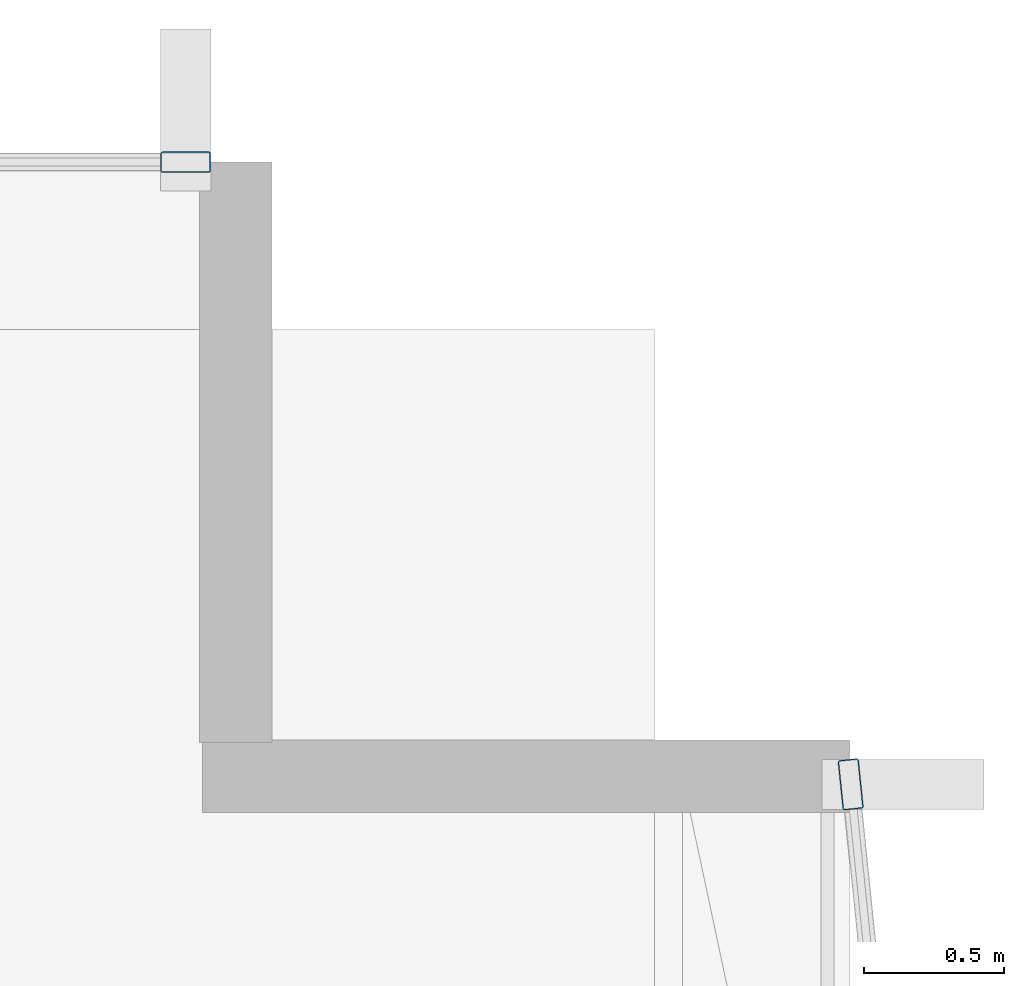
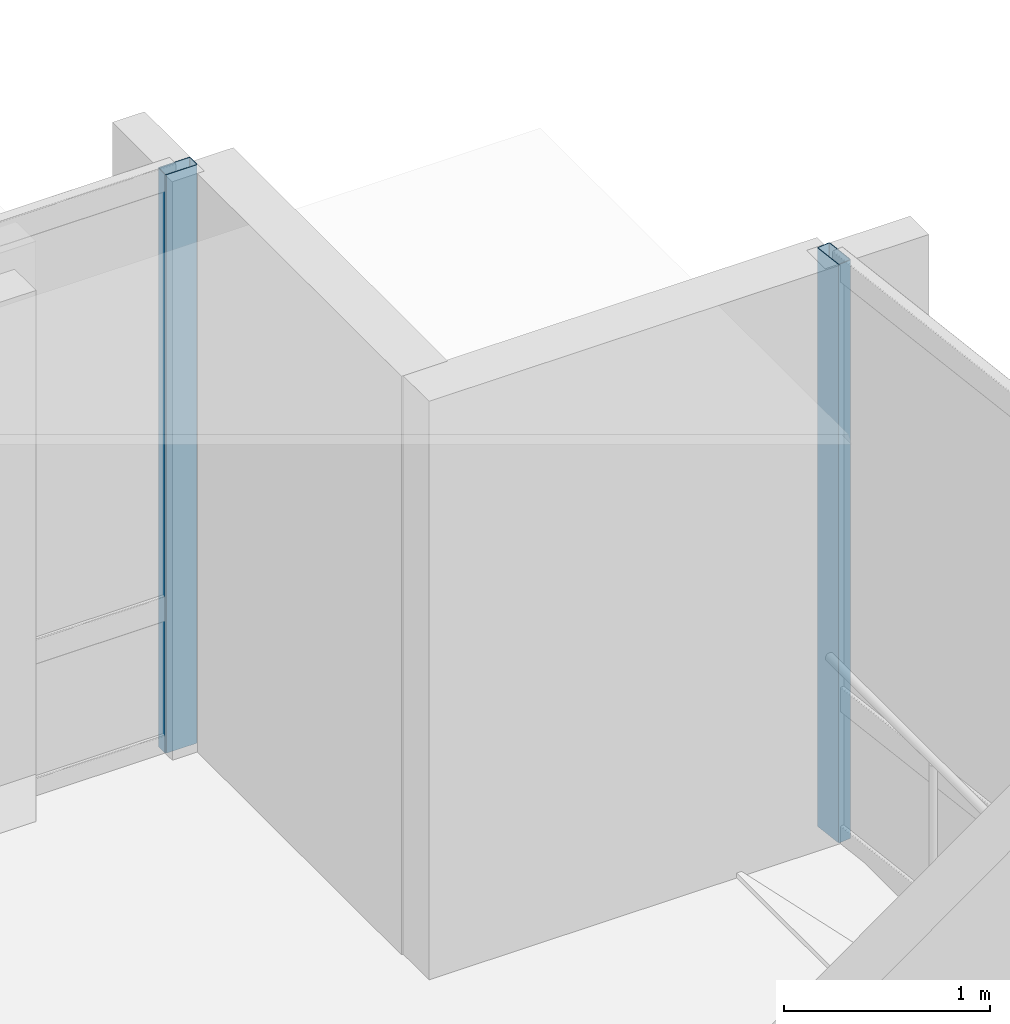
# One storey, part 17 of 34: 2 members, 2 elements without a shape of their own.
"""IFC4 building model written with IfcOpenShell, lengths in metres."""

from ifc_helpers import new_model, si_unit, direction, frame, origin, origin_2d, place, context, subcontext, project, spatial, hollow_rectangle, extrude, material, layer, layer_set, material_profile, profile_set, type_object, element, aggregate, save


model = new_model("IFC4")

# Units and contexts
model_context = context("Model", 3, precision=1e-05, world=origin(), true_north=direction((0.0, 1.0)))
body_context = subcontext(model_context, "Body", "Model", "MODEL_VIEW")
ifc_project = project(units=[si_unit("LENGTHUNIT", "METRE"), si_unit("AREAUNIT", "SQUARE_METRE"), si_unit("VOLUMEUNIT", "CUBIC_METRE"), si_unit("PLANEANGLEUNIT", "RADIAN"), si_unit("MASSUNIT", "GRAM", prefix="KILO")], contexts=[model_context])

# Site, building, storey
site_placement = place(None, origin())
site = spatial("IfcSite", under=ifc_project, at=site_placement, CompositionType="ELEMENT")
building_placement = place(site_placement, origin())
building = spatial("IfcBuilding", under=site, at=building_placement, Name="Solvaryn Broadcast Tower", CompositionType="ELEMENT")
storey_placement = place(building_placement, frame((0.0, 0.0, 47.10009765625)))
storey = spatial("IfcBuildingStorey", under=building, at=storey_placement, Name="L10", CompositionType="ELEMENT", Elevation=47.10009765625)

# Curtain wall, member
ifc_material_1 = material(Name="Aluminium and Terracotta Unitised Curtain Wall", Category="masonry")
ifc_layer = layer(ifc_material_1, 0.199951171875)
ifc_layer_set = layer_set([ifc_layer], Name="CW-SYS2-LOWMID")
curtain_wall_type = type_object("IfcCurtainWallType", Name="CW-SYS2-LOWMID", PredefinedType="NOTDEFINED", material=ifc_layer_set)
curtain_wall_1_placement = place(storey_placement, origin())
curtain_wall_1 = element("IfcCurtainWall", 1, at=curtain_wall_1_placement, inside=storey, type_object=curtain_wall_type, Name="L10 Curtain Wall ET1", PredefinedType="NOTDEFINED")
ifc_material_2 = material(Name="Anodised Aluminium 6063-T6", Category="aluminium")
ifc_material_profile = material_profile(ifc_material_2, hollow_rectangle(XDim=0.074951171875, YDim=0.179931640625, WallThickness=0.00390625, InnerFilletRadius=0.00390625, OuterFilletRadius=0.008056640625, at=origin_2d()))
ifc_profile_set = profile_set([ifc_material_profile], Name="Anodised Aluminium 6063-T6")
member_type = type_object("IfcMemberType", Name="CW-MUL-180", PredefinedType="MULLION", material=ifc_profile_set)
member_1_placement = place(storey_placement, frame((63.003173828125, 24.770263671875, 0.0), z_axis=(0.0, 0.0, 1.0), x_axis=(0.99474329889, 0.10240004548, 0.0)))
member_1 = element("IfcMember", 2, at=member_1_placement, type_object=member_type, Name="CWS2 mullion 1", PredefinedType="MULLION", context=body_context, shape_type="SweptSolid", body=[
    extrude(hollow_rectangle(XDim=0.074951171875, YDim=0.179931640625, WallThickness=0.00390625, InnerFilletRadius=0.00390625, OuterFilletRadius=0.008056640625, at=origin_2d()), origin(), (0.0, 0.0, 1.0), 3.419921875),
])
aggregate(curtain_wall_1, [member_1])

curtain_wall_2_placement = place(storey_placement, origin())
curtain_wall_2 = element("IfcCurtainWall", 3, at=curtain_wall_2_placement, inside=storey, type_object=curtain_wall_type, Name="L10 Curtain Wall IH", PredefinedType="NOTDEFINED")
member_2_placement = place(storey_placement, frame((60.6201171875, 27.0, 0.0), z_axis=(0.0, 0.0, 1.0), x_axis=(0.0, 1.0, 0.0)))
member_2 = element("IfcMember", 4, at=member_2_placement, type_object=member_type, Name="CWS2 mullion 2", PredefinedType="MULLION", context=body_context, shape_type="SweptSolid", body=[
    extrude(hollow_rectangle(XDim=0.074951171875, YDim=0.179931640625, WallThickness=0.00390625, InnerFilletRadius=0.00390625, OuterFilletRadius=0.008056640625, at=origin_2d()), origin(), (0.0, 0.0, 1.0), 3.419921875),
])
aggregate(curtain_wall_2, [member_2])

save(model, "model.ifc")
